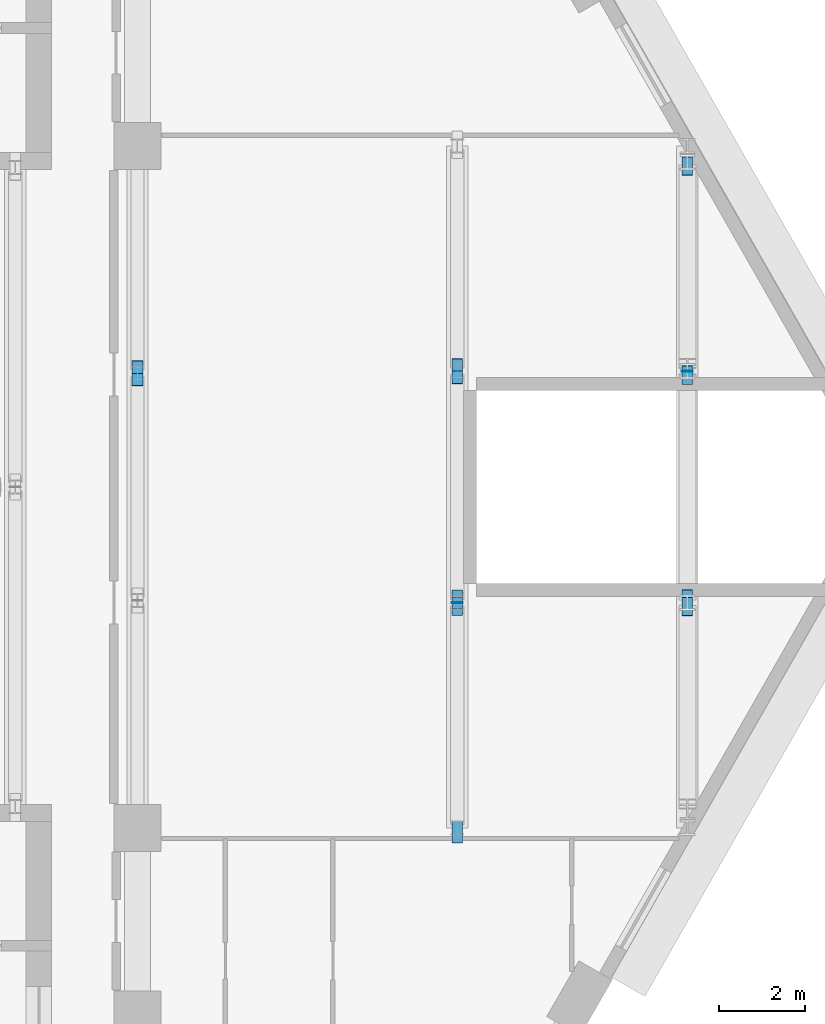
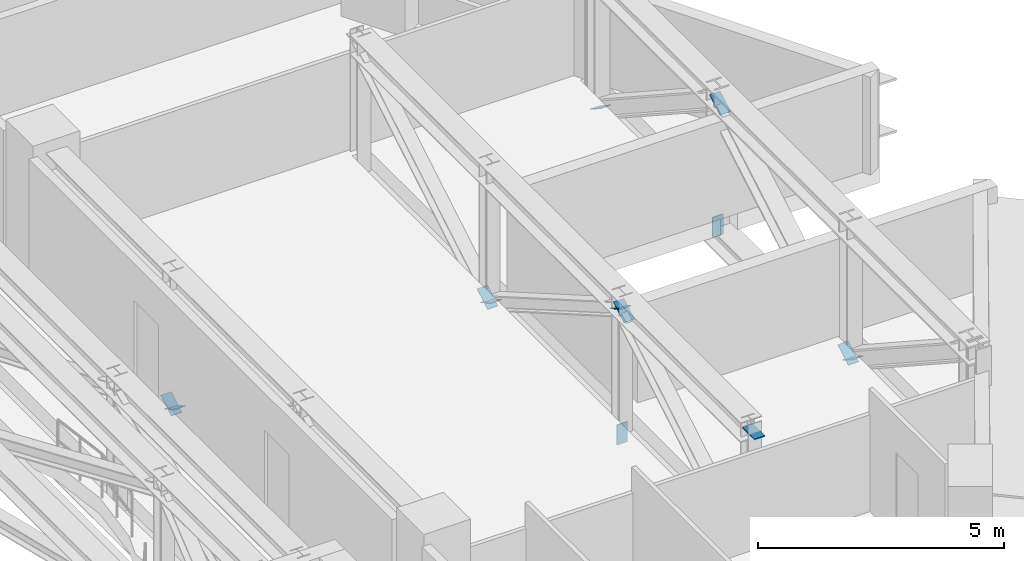
# One storey, part 14 of 18: 13 discrete accessories.
"""IFC4 building model written with IfcOpenShell, lengths in metres."""

from ifc_helpers import new_model, si_unit, direction, frame, origin, origin_2d, place, context, subcontext, project, spatial, rectangle, extrude, material, material_profile, profile_set, type_object, element, save


model = new_model("IFC4")

# Units and contexts
model_context = context("Model", 3, precision=1e-05, world=origin(), true_north=direction((0.0, 1.0)))
body_context = subcontext(model_context, "Body", "Model", "MODEL_VIEW")
ifc_project = project(units=[si_unit("LENGTHUNIT", "METRE"), si_unit("AREAUNIT", "SQUARE_METRE"), si_unit("VOLUMEUNIT", "CUBIC_METRE"), si_unit("PLANEANGLEUNIT", "RADIAN"), si_unit("MASSUNIT", "GRAM", prefix="KILO")], contexts=[model_context])

# Site, building, storey
site_placement = place(None, origin())
site = spatial("IfcSite", under=ifc_project, at=site_placement, CompositionType="ELEMENT")
building_placement = place(site_placement, origin())
building = spatial("IfcBuilding", under=site, at=building_placement, Name="Nakaniwa Court", CompositionType="ELEMENT")
storey_placement = place(building_placement, frame((0.0, 0.0, 38.10009765625)))
storey = spatial("IfcBuildingStorey", under=building, at=storey_placement, Name="L09", CompositionType="ELEMENT", Elevation=38.10009765625)

# Discrete accessories
ifc_material = material(Name="Steel Grade 350", Category="steel")
ifc_material_profile = material_profile(ifc_material, rectangle(XDim=0.25, YDim=0.02001953125, at=origin_2d()), Name="Truss end gusset plate 250x20")
ifc_profile_set = profile_set([ifc_material_profile], Name="Steel Grade 350")
discrete_accessory_type = type_object("IfcDiscreteAccessoryType", Name="Truss end gusset plate 250x20", PredefinedType="BRACKET", material=ifc_profile_set)
for number, where, z_axis, x_axis, name in (
    (1, (90.0, 82.3603515625, -0.323974609375), (0.0, 0.861431643399, -0.507873531256), (-1.0, 0.0, 0.0), "Gusset plate GU-079"),
    (2, (90.0, 82.939697265625, -0.323974609375), (0.0, -0.861431643399, -0.507873531256), (1.0, 0.0, 0.0), "Gusset plate GU-080"),
    (3, (97.4580078125, 72.199951171875, 2.77978515625), (0.0, -1.0, 0.0), (1.0, 0.0, 0.0), "Gusset plate GU-082"),
    (4, (97.4580078125, 77.010498046875, 2.458251953125), (0.0, 0.859211134108, 0.51162117531), (-1.0, 0.0, 0.0), "Gusset plate GU-084"),
    (5, (97.4580078125, 77.59033203125, 2.459716796875), (0.0, -0.865738136993, 0.500497230918), (1.0, 0.0, 0.0), "Gusset plate GU-085"),
    (6, (97.4580078125, 82.40966796875, -0.324951171875), (0.0, 0.865738136993, -0.500497230918), (-1.0, 0.0, 0.0), "Gusset plate GU-086"),
    (7, (97.4580078125, 82.989501953125, -0.323486328125), (0.0, -0.859425715003, -0.511260638414), (1.0, 0.0, 0.0), "Gusset plate GU-087"),
    (8, (97.4580078125, 77.300048828125, -0.25), (0.0, 0.0, -1.0), (1.0, 0.0, 0.0), "Gusset plate GU-089"),
    (9, (102.822998046875, 76.996826171875, -0.318115234375), (0.0, 0.837493999191, -0.546446521921), (-1.0, 0.0, 0.0), "Gusset plate GU-090"),
):
    element("IfcDiscreteAccessory", number, at=place(storey_placement, frame(where, z_axis=z_axis, x_axis=x_axis)), inside=storey, type_object=discrete_accessory_type, Name=name, PredefinedType="BRACKET", context=body_context, shape_type="SweptSolid", body=[
        extrude(rectangle(XDim=0.25, YDim=0.02001953125, at=origin_2d()), origin(), (0.0, 0.0, 1.0), 0.5),
    ])
for number, where, z_axis, x_axis, name in (
    (10, (102.822998046875, 77.60693359375, -0.324462890625), (0.0, -0.863637130858, -0.504113981361), (1.0, 0.0, 0.0), "Gusset plate GU-091"),
    (11, (102.822998046875, 82.39306640625, 2.46923828125), (0.0, 0.863637130858, 0.504113981361), (-1.0, 0.0, 0.0), "Gusset plate GU-092"),
):
    element("IfcDiscreteAccessory", number, at=place(storey_placement, frame(where, z_axis=z_axis, x_axis=x_axis)), inside=storey, type_object=discrete_accessory_type, Name=name, PredefinedType="BRACKET", context=body_context, shape_type="SweptSolid", body=[
        extrude(rectangle(XDim=0.25, YDim=0.02001953125, at=origin_2d()), origin(), (0.0, 0.0, 1.0), 0.499755859375),
    ])
for number, where, z_axis, x_axis, name in (
    (12, (102.822998046875, 87.2666015625, -0.318115234375), (0.0, 0.837493999191, -0.546446521921), (-1.0, 0.0, 0.0), "Gusset plate GU-093"),
    (13, (102.822998046875, 82.699951171875, -0.25), (0.0, 0.0, -1.0), (1.0, 0.0, 0.0), "Gusset plate GU-094"),
):
    element("IfcDiscreteAccessory", number, at=place(storey_placement, frame(where, z_axis=z_axis, x_axis=x_axis)), inside=storey, type_object=discrete_accessory_type, Name=name, PredefinedType="BRACKET", context=body_context, shape_type="SweptSolid", body=[
        extrude(rectangle(XDim=0.25, YDim=0.02001953125, at=origin_2d()), origin(), (0.0, 0.0, 1.0), 0.5),
    ])

save(model, "model.ifc")
